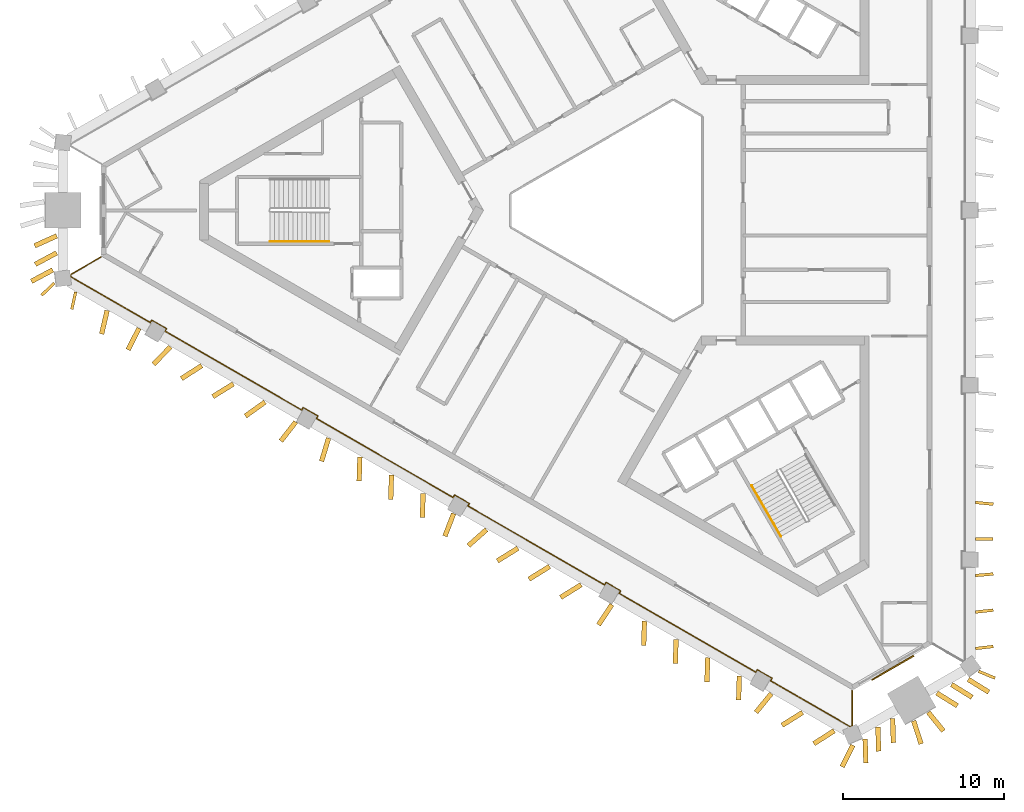
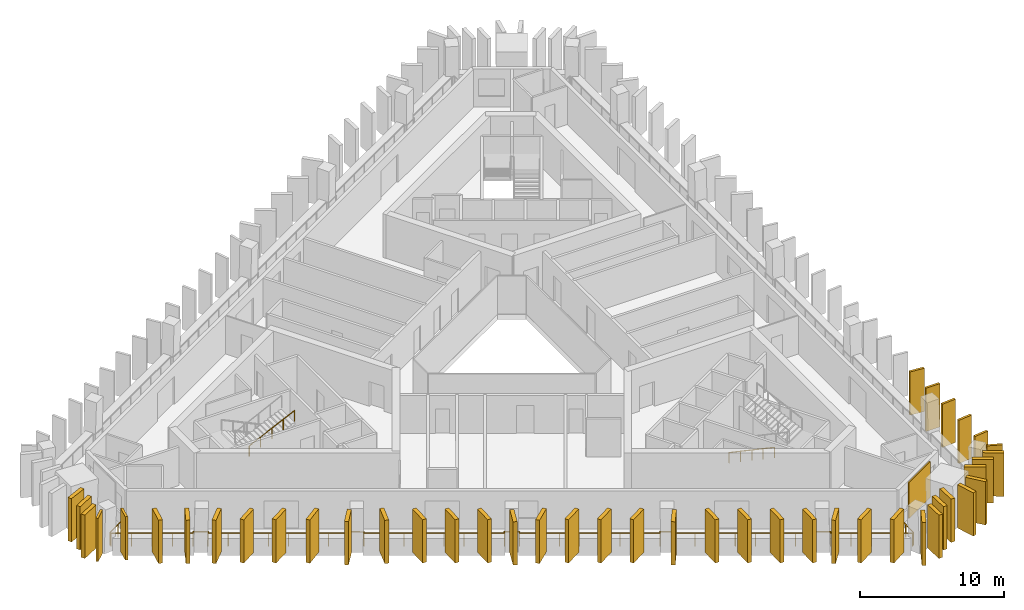
# One storey, part 7 of 9: 44 shading devices, 3 railings, 1 covering.
"""IFC4 building model written with IfcOpenShell, lengths in metres."""

from ifc_helpers import new_model, si_unit, direction, frame, frame_2d, origin, origin_2d, place, context, subcontext, project, spatial, rectangle, circle, extrude, material, layer, layer_set, type_object, element, save


model = new_model("IFC4")

# Units and contexts
model_context = context("Model", 3, precision=1e-05, world=origin(), true_north=direction((0.0, 1.0)))
body_context = subcontext(model_context, "Body", "Model", "MODEL_VIEW")
ifc_project = project(units=[si_unit("LENGTHUNIT", "METRE"), si_unit("AREAUNIT", "SQUARE_METRE"), si_unit("VOLUMEUNIT", "CUBIC_METRE"), si_unit("PLANEANGLEUNIT", "RADIAN"), si_unit("MASSUNIT", "GRAM", prefix="KILO")], contexts=[model_context])

# Site, building, storey
site_placement = place(None, origin())
site = spatial("IfcSite", under=ifc_project, at=site_placement, CompositionType="ELEMENT")
building_placement = place(site_placement, origin())
building = spatial("IfcBuilding", under=site, at=building_placement, Name="Jabali Bay Hotel Tower and Convention Centre", CompositionType="ELEMENT")
storey_placement = place(building_placement, frame((0.0, 0.0, 171.10009765625)))
storey = spatial("IfcBuildingStorey", under=building, at=storey_placement, Name="L41", CompositionType="ELEMENT", Elevation=171.10009765625)

# Railing
ifc_material_1 = material(Name="Glass", Category="glass")
railing_type_1 = type_object("IfcRailingType", Name="Loggia glass guard 1100", PredefinedType="BALUSTRADE", material=ifc_material_1)
railing_1_placement = place(storey_placement, frame((88.84912109375, 50.236572265625, 0.0)))
element("IfcRailing", 1, at=railing_1_placement, inside=storey, type_object=railing_type_1, Name="Loggia glass guard L41", PredefinedType="BALUSTRADE", context=body_context, shape_type="SweptSolid", body=[
    extrude(circle(Radius=0.02490234375, at=origin_2d()), frame((0.0, 0.0, 1.0751953125), z_axis=(0.0, -1.0, 0.0), x_axis=(0.991444861374, 0.0, 0.13052619222)), (0.0, 0.0, 1.0), 2.19287109375),
    extrude(circle(Radius=0.02490234375, at=origin_2d()), frame((0.0, -2.19287109375, 1.0751953125), z_axis=(-0.919843258059, -0.392286095349, 0.0), x_axis=(0.388930033422, -0.911973871472, 0.13052619222)), (0.0, 0.0, 1.0), 0.126220703125),
    extrude(circle(Radius=0.02490234375, at=origin_2d()), frame((-0.1162109375, -2.242431640625, 1.0751953125), z_axis=(-0.866017981888, 0.500012854881, 0.0), x_axis=(-0.495735175592, -0.858609078, 0.13052619222)), (0.0, 0.0, 1.0), 5.700439453125),
    extrude(circle(Radius=0.02490234375, at=origin_2d()), frame((-5.052978515625, 0.60791015625, 1.0751953125), z_axis=(0.500486622847, 0.865744269604, 0.0), x_axis=(-0.858337707362, 0.496204890408, 0.13052619222)), (0.0, 0.0, 1.0), 0.175048828125),
    extrude(circle(Radius=0.02490234375, at=origin_2d()), frame((-4.96533203125, 0.759521484375, 1.0751953125), z_axis=(-0.866088799389, 0.499890179513, 0.0), x_axis=(-0.495613549729, -0.858679289647, 0.13052619222)), (0.0, 0.0, 1.0), 1.050048828125),
    extrude(circle(Radius=0.02490234375, at=origin_2d()), frame((-5.874755859375, 1.284423828125, 1.0751953125), z_axis=(-0.499440622861, -0.866348119543, 0.0), x_axis=(0.858936391282, -0.495167839097, 0.13052619222)), (0.0, 0.0, 1.0), 0.175048828125),
    extrude(circle(Radius=0.02490234375, at=origin_2d()), frame((-5.962158203125, 1.1328125, 1.0751953125), z_axis=(-0.866029781282, 0.499992417876, 0.0), x_axis=(-0.495714913429, -0.858620776448, 0.13052619222)), (0.0, 0.0, 1.0), 9.785400390625),
    extrude(circle(Radius=0.02490234375, at=origin_2d()), frame((-14.4365234375, 6.025390625, 1.0751953125), z_axis=(0.499440622861, 0.866348119543, 0.0), x_axis=(-0.858936391282, 0.495167839097, 0.13052619222)), (0.0, 0.0, 1.0), 0.175048828125),
    extrude(circle(Radius=0.02490234375, at=origin_2d()), frame((-14.34912109375, 6.177001953125, 1.0751953125), z_axis=(-0.86592997719, 0.500165247297, 0.0), x_axis=(-0.495886264271, -0.858521826194, 0.13052619222)), (0.0, 0.0, 1.0), 1.050048828125),
    extrude(circle(Radius=0.02490234375, at=origin_2d()), frame((-15.25830078125, 6.7021484375, 1.0751953125), z_axis=(-0.500486622847, -0.865744269604, 0.0), x_axis=(0.858337707362, -0.496204890408, 0.13052619222)), (0.0, 0.0, 1.0), 0.175048828125),
    extrude(circle(Radius=0.02490234375, at=origin_2d()), frame((-15.345947265625, 6.550537109375, 1.0751953125), z_axis=(-0.866023543838, 0.500003221507, 0.0), x_axis=(-0.495725624634, -0.858614592367, 0.13052619222)), (0.0, 0.0, 1.0), 9.78515625),
    extrude(circle(Radius=0.02490234375, at=origin_2d()), frame((-23.820068359375, 11.443115234375, 1.0751953125), z_axis=(0.499440622861, 0.866348119543, 0.0), x_axis=(-0.858936391282, 0.495167839097, 0.13052619222)), (0.0, 0.0, 1.0), 0.175048828125),
    extrude(circle(Radius=0.02490234375, at=origin_2d()), frame((-23.732666015625, 11.5947265625, 1.0751953125), z_axis=(-0.866030680601, 0.499990860175, 0.0), x_axis=(-0.495713369054, -0.858621668074, 0.13052619222)), (0.0, 0.0, 1.0), 1.0498046875),
    extrude(circle(Radius=0.02490234375, at=origin_2d()), frame((-24.641845703125, 12.11962890625, 1.0751953125), z_axis=(-0.500486622847, -0.865744269604, 0.0), x_axis=(0.858337707362, -0.496204890408, 0.13052619222)), (0.0, 0.0, 1.0), 0.175048828125),
    extrude(circle(Radius=0.02490234375, at=origin_2d()), frame((-24.7294921875, 11.968017578125, 1.0751953125), z_axis=(-0.866018977777, 0.500011130006, 0.0), x_axis=(-0.495733465474, -0.858610065369, 0.13052619222)), (0.0, 0.0, 1.0), 9.785400390625),
    extrude(circle(Radius=0.02490234375, at=origin_2d()), frame((-33.203857421875, 16.86083984375, 1.0751953125), z_axis=(0.501091290591, 0.865394429433, 0.0), x_axis=(-0.857990860123, 0.496804385136, 0.13052619222)), (0.0, 0.0, 1.0), 0.1748046875),
    extrude(circle(Radius=0.02490234375, at=origin_2d()), frame((-33.1162109375, 17.01220703125, 1.0751953125), z_axis=(-0.865988129768, 0.500064554934, 0.0), x_axis=(-0.495786433345, -0.858579481269, 0.13052619222)), (0.0, 0.0, 1.0), 1.050048828125),
    extrude(circle(Radius=0.02490234375, at=origin_2d()), frame((-34.025634765625, 17.537353515625, 1.0751953125), z_axis=(-0.499440622861, -0.866348119543, 0.0), x_axis=(0.858936391282, -0.495167839097, 0.13052619222)), (0.0, 0.0, 1.0), 0.175048828125),
    extrude(circle(Radius=0.02490234375, at=origin_2d()), frame((-34.113037109375, 17.3857421875, 1.0751953125), z_axis=(-0.866029781282, 0.499992417876, 0.0), x_axis=(-0.495714913429, -0.858620776448, 0.13052619222)), (0.0, 0.0, 1.0), 9.785400390625),
    extrude(circle(Radius=0.02490234375, at=origin_2d()), frame((-42.58740234375, 22.2783203125, 1.0751953125), z_axis=(0.500486622847, 0.865744269604, 0.0), x_axis=(-0.858337707362, 0.496204890408, 0.13052619222)), (0.0, 0.0, 1.0), 0.175048828125),
    extrude(circle(Radius=0.02490234375, at=origin_2d()), frame((-42.499755859375, 22.429931640625, 1.0751953125), z_axis=(-0.865988129768, 0.500064554934, 0.0), x_axis=(-0.495786433345, -0.858579481269, 0.13052619222)), (0.0, 0.0, 1.0), 1.050048828125),
    extrude(circle(Radius=0.02490234375, at=origin_2d()), frame((-43.4091796875, 22.955078125, 1.0751953125), z_axis=(-0.499440622861, -0.866348119543, 0.0), x_axis=(0.858936391282, -0.495167839097, 0.13052619222)), (0.0, 0.0, 1.0), 0.175048828125),
    extrude(circle(Radius=0.02490234375, at=origin_2d()), frame((-43.49658203125, 22.803466796875, 1.0751953125), z_axis=(-0.866036526926, 0.49998073366, 0.0), x_axis=(-0.495703329173, -0.858627464382, 0.13052619222)), (0.0, 0.0, 1.0), 5.700439453125),
    extrude(circle(Radius=0.02490234375, at=origin_2d()), frame((-48.433349609375, 25.653564453125, 1.0751953125), z_axis=(-0.119754511869, 0.992803533881, 0.0), x_axis=(-0.98430996202, -0.118729995419, 0.13052619222)), (0.0, 0.0, 1.0), 0.12646484375),
    extrude(circle(Radius=0.02490234375, at=origin_2d()), frame((-48.448486328125, 25.779052734375, 1.0751953125), z_axis=(0.866055796367, 0.499947354807, 0.0), x_axis=(-0.495670235881, 0.858646568971, 0.13052619222)), (0.0, 0.0, 1.0), 2.192626953125),
    extrude(circle(Radius=0.02001953125, at=origin_2d()), origin(), (0.0, 0.0, 1.0), 1.050048828125),
    extrude(circle(Radius=0.02001953125, at=origin_2d()), frame((0.0, -1.096435546875, 0.0)), (0.0, 0.0, 1.0), 1.050048828125),
    extrude(circle(Radius=0.02001953125, at=origin_2d()), frame((0.0, -2.19287109375, 0.0)), (0.0, 0.0, 1.0), 1.050048828125),
    extrude(circle(Radius=0.02001953125, at=origin_2d()), frame((-0.1162109375, -2.242431640625, 0.0)), (0.0, 0.0, 1.0), 1.050048828125),
    extrude(circle(Radius=0.02001953125, at=origin_2d()), frame((-1.350341796875, -1.52978515625, 0.0)), (0.0, 0.0, 1.0), 1.050048828125),
    extrude(circle(Radius=0.02001953125, at=origin_2d()), frame((-2.58447265625, -0.8173828125, 0.0)), (0.0, 0.0, 1.0), 1.050048828125),
    extrude(circle(Radius=0.02001953125, at=origin_2d()), frame((-3.81884765625, -0.104736328125, 0.0)), (0.0, 0.0, 1.0), 1.050048828125),
    extrude(circle(Radius=0.02001953125, at=origin_2d()), frame((-5.052978515625, 0.60791015625, 0.0)), (0.0, 0.0, 1.0), 1.050048828125),
    extrude(circle(Radius=0.02001953125, at=origin_2d()), frame((-4.96533203125, 0.759521484375, 0.0)), (0.0, 0.0, 1.0), 1.050048828125),
    extrude(circle(Radius=0.02001953125, at=origin_2d()), frame((-5.874755859375, 1.284423828125, 0.0)), (0.0, 0.0, 1.0), 1.050048828125),
    extrude(circle(Radius=0.02001953125, at=origin_2d()), frame((-5.962158203125, 1.1328125, 0.0)), (0.0, 0.0, 1.0), 1.050048828125),
    extrude(circle(Radius=0.02001953125, at=origin_2d()), frame((-7.1728515625, 1.831787109375, 0.0)), (0.0, 0.0, 1.0), 1.050048828125),
    extrude(circle(Radius=0.02001953125, at=origin_2d()), frame((-8.38330078125, 2.53076171875, 0.0)), (0.0, 0.0, 1.0), 1.050048828125),
    extrude(circle(Radius=0.02001953125, at=origin_2d()), frame((-9.593994140625, 3.229736328125, 0.0)), (0.0, 0.0, 1.0), 1.050048828125),
    extrude(circle(Radius=0.02001953125, at=origin_2d()), frame((-10.8046875, 3.928466796875, 0.0)), (0.0, 0.0, 1.0), 1.050048828125),
    extrude(circle(Radius=0.02001953125, at=origin_2d()), frame((-12.015380859375, 4.62744140625, 0.0)), (0.0, 0.0, 1.0), 1.050048828125),
    extrude(circle(Radius=0.02001953125, at=origin_2d()), frame((-13.225830078125, 5.326416015625, 0.0)), (0.0, 0.0, 1.0), 1.050048828125),
    extrude(circle(Radius=0.02001953125, at=origin_2d()), frame((-14.4365234375, 6.025390625, 0.0)), (0.0, 0.0, 1.0), 1.050048828125),
    extrude(circle(Radius=0.02001953125, at=origin_2d()), frame((-14.34912109375, 6.177001953125, 0.0)), (0.0, 0.0, 1.0), 1.050048828125),
    extrude(circle(Radius=0.02001953125, at=origin_2d()), frame((-15.25830078125, 6.7021484375, 0.0)), (0.0, 0.0, 1.0), 1.050048828125),
    extrude(circle(Radius=0.02001953125, at=origin_2d()), frame((-15.345947265625, 6.550537109375, 0.0)), (0.0, 0.0, 1.0), 1.050048828125),
    extrude(circle(Radius=0.02001953125, at=origin_2d()), frame((-16.556640625, 7.24951171875, 0.0)), (0.0, 0.0, 1.0), 1.050048828125),
    extrude(circle(Radius=0.02001953125, at=origin_2d()), frame((-17.76708984375, 7.948486328125, 0.0)), (0.0, 0.0, 1.0), 1.050048828125),
    extrude(circle(Radius=0.02001953125, at=origin_2d()), frame((-18.977783203125, 8.6474609375, 0.0)), (0.0, 0.0, 1.0), 1.050048828125),
    extrude(circle(Radius=0.02001953125, at=origin_2d()), frame((-20.188232421875, 9.34619140625, 0.0)), (0.0, 0.0, 1.0), 1.050048828125),
    extrude(circle(Radius=0.02001953125, at=origin_2d()), frame((-21.39892578125, 10.045166015625, 0.0)), (0.0, 0.0, 1.0), 1.050048828125),
    extrude(circle(Radius=0.02001953125, at=origin_2d()), frame((-22.609375, 10.744140625, 0.0)), (0.0, 0.0, 1.0), 1.050048828125),
    extrude(circle(Radius=0.02001953125, at=origin_2d()), frame((-23.820068359375, 11.443115234375, 0.0)), (0.0, 0.0, 1.0), 1.050048828125),
    extrude(circle(Radius=0.02001953125, at=origin_2d()), frame((-23.732666015625, 11.5947265625, 0.0)), (0.0, 0.0, 1.0), 1.050048828125),
    extrude(circle(Radius=0.02001953125, at=origin_2d()), frame((-24.641845703125, 12.11962890625, 0.0)), (0.0, 0.0, 1.0), 1.050048828125),
    extrude(circle(Radius=0.02001953125, at=origin_2d()), frame((-24.7294921875, 11.968017578125, 0.0)), (0.0, 0.0, 1.0), 1.050048828125),
    extrude(circle(Radius=0.02001953125, at=origin_2d()), frame((-25.940185546875, 12.6669921875, 0.0)), (0.0, 0.0, 1.0), 1.050048828125),
    extrude(circle(Radius=0.02001953125, at=origin_2d()), frame((-27.150634765625, 13.365966796875, 0.0)), (0.0, 0.0, 1.0), 1.050048828125),
    extrude(circle(Radius=0.02001953125, at=origin_2d()), frame((-28.361328125, 14.06494140625, 0.0)), (0.0, 0.0, 1.0), 1.050048828125),
    extrude(circle(Radius=0.02001953125, at=origin_2d()), frame((-29.572021484375, 14.763916015625, 0.0)), (0.0, 0.0, 1.0), 1.050048828125),
    extrude(circle(Radius=0.02001953125, at=origin_2d()), frame((-30.78271484375, 15.462890625, 0.0)), (0.0, 0.0, 1.0), 1.050048828125),
    extrude(circle(Radius=0.02001953125, at=origin_2d()), frame((-31.9931640625, 16.161865234375, 0.0)), (0.0, 0.0, 1.0), 1.050048828125),
    extrude(circle(Radius=0.02001953125, at=origin_2d()), frame((-33.203857421875, 16.86083984375, 0.0)), (0.0, 0.0, 1.0), 1.050048828125),
    extrude(circle(Radius=0.02001953125, at=origin_2d()), frame((-33.1162109375, 17.01220703125, 0.0)), (0.0, 0.0, 1.0), 1.050048828125),
    extrude(circle(Radius=0.02001953125, at=origin_2d()), frame((-34.025634765625, 17.537353515625, 0.0)), (0.0, 0.0, 1.0), 1.050048828125),
    extrude(circle(Radius=0.02001953125, at=origin_2d()), frame((-34.113037109375, 17.3857421875, 0.0)), (0.0, 0.0, 1.0), 1.050048828125),
    extrude(circle(Radius=0.02001953125, at=origin_2d()), frame((-35.32373046875, 18.084716796875, 0.0)), (0.0, 0.0, 1.0), 1.050048828125),
    extrude(circle(Radius=0.02001953125, at=origin_2d()), frame((-36.5341796875, 18.78369140625, 0.0)), (0.0, 0.0, 1.0), 1.050048828125),
    extrude(circle(Radius=0.02001953125, at=origin_2d()), frame((-37.744873046875, 19.482666015625, 0.0)), (0.0, 0.0, 1.0), 1.050048828125),
    extrude(circle(Radius=0.02001953125, at=origin_2d()), frame((-38.95556640625, 20.181396484375, 0.0)), (0.0, 0.0, 1.0), 1.050048828125),
    extrude(circle(Radius=0.02001953125, at=origin_2d()), frame((-40.166259765625, 20.88037109375, 0.0)), (0.0, 0.0, 1.0), 1.050048828125),
    extrude(circle(Radius=0.02001953125, at=origin_2d()), frame((-41.376708984375, 21.579345703125, 0.0)), (0.0, 0.0, 1.0), 1.050048828125),
    extrude(circle(Radius=0.02001953125, at=origin_2d()), frame((-42.58740234375, 22.2783203125, 0.0)), (0.0, 0.0, 1.0), 1.050048828125),
    extrude(circle(Radius=0.02001953125, at=origin_2d()), frame((-42.499755859375, 22.429931640625, 0.0)), (0.0, 0.0, 1.0), 1.050048828125),
    extrude(circle(Radius=0.02001953125, at=origin_2d()), frame((-43.4091796875, 22.955078125, 0.0)), (0.0, 0.0, 1.0), 1.050048828125),
    extrude(circle(Radius=0.02001953125, at=origin_2d()), frame((-43.49658203125, 22.803466796875, 0.0)), (0.0, 0.0, 1.0), 1.050048828125),
    extrude(circle(Radius=0.02001953125, at=origin_2d()), frame((-44.730712890625, 23.51611328125, 0.0)), (0.0, 0.0, 1.0), 1.050048828125),
    extrude(circle(Radius=0.02001953125, at=origin_2d()), frame((-45.96484375, 24.228515625, 0.0)), (0.0, 0.0, 1.0), 1.050048828125),
    extrude(circle(Radius=0.02001953125, at=origin_2d()), frame((-47.19921875, 24.94091796875, 0.0)), (0.0, 0.0, 1.0), 1.050048828125),
    extrude(circle(Radius=0.02001953125, at=origin_2d()), frame((-48.433349609375, 25.653564453125, 0.0)), (0.0, 0.0, 1.0), 1.050048828125),
    extrude(circle(Radius=0.02001953125, at=origin_2d()), frame((-48.448486328125, 25.779052734375, 0.0)), (0.0, 0.0, 1.0), 1.050048828125),
    extrude(circle(Radius=0.02001953125, at=origin_2d()), frame((-47.4990234375, 26.3271484375, 0.0)), (0.0, 0.0, 1.0), 1.050048828125),
    extrude(circle(Radius=0.02001953125, at=origin_2d()), frame((-46.549560546875, 26.875244140625, 0.0)), (0.0, 0.0, 1.0), 1.050048828125),
])

# Shading devices
ifc_material_2 = material(Name="Precast concrete C60", Category="concrete")
ifc_layer_1 = layer(ifc_material_2, 0.179931640625)
ifc_layer_set_1 = layer_set([ifc_layer_1], Name="Precast concrete C60")
shading_device_type_1 = type_object("IfcShadingDeviceType", Name="Precast fin 3680 x 1100", PredefinedType="USERDEFINED", material=ifc_layer_set_1)
shading_device_1_placement = place(storey_placement, frame((96.50439453125, 52.841796875, 0.010009765625), z_axis=(0.0, 0.0, 1.0), x_axis=(0.993030393749, 0.117858546956, 0.0)))
element("IfcShadingDevice", 2, at=shading_device_1_placement, inside=storey, type_object=shading_device_type_1, Name="Fin L41 000", ObjectType="FIN", PredefinedType="USERDEFINED", context=body_context, shape_type="SweptSolid", body=[
    extrude(rectangle(XDim=1.099853515625, YDim=0.179931640625, at=frame_2d((0.5498046875, 0.0))), origin(), (0.0, 0.0, 1.0), 3.679931640625),
])
for number, where, z_axis, x_axis, name in (
    (3, (96.503173828125, 55.10498046875, 0.010009765625), (0.0, 0.0, 1.0), (0.994428578237, 0.105412536189, 0.0), "Fin L41 001"),
    (4, (96.50146484375, 57.3681640625, 0.010009765625), (0.0, 0.0, 1.0), (0.996304441521, 0.085892140537, 0.0), "Fin L41 002"),
    (5, (96.493896484375, 59.63134765625, 0.010009765625), (0.0, 0.0, 1.0), (0.999996453926, -0.002663106402, 0.0), "Fin L41 003"),
    (6, (96.50244140625, 61.89453125, 0.010009765625), (0.0, 0.0, 1.0), (0.995308052285, -0.096756814001, 0.0), "Fin L41 004"),
):
    element("IfcShadingDevice", number, at=place(storey_placement, frame(where, z_axis=z_axis, x_axis=x_axis)), inside=storey, type_object=shading_device_type_1, Name=name, ObjectType="FIN", PredefinedType="USERDEFINED", context=body_context, shape_type="SweptSolid", body=[
        extrude(rectangle(XDim=1.10009765625, YDim=0.179931640625, at=frame_2d((0.550048828125, 0.0))), origin(), (0.0, 0.0, 1.0), 3.679931640625),
    ])
shading_device_2_placement = place(storey_placement, frame((40.719970703125, 74.94140625, 0.010009765625), z_axis=(0.0, 0.0, 1.0), x_axis=(-0.215755163581, -0.976447494435, 0.0)))
element("IfcShadingDevice", 7, at=shading_device_2_placement, inside=storey, type_object=shading_device_type_1, Name="Fin L41 066", ObjectType="FIN", PredefinedType="USERDEFINED", context=body_context, shape_type="SweptSolid", body=[
    extrude(rectangle(XDim=1.099853515625, YDim=0.179931640625, at=frame_2d((0.5498046875, 0.0))), origin(), (0.0, 0.0, 1.0), 3.679931640625),
])
shading_device_3_placement = place(storey_placement, frame((96.691650390625, 51.427001953125, 0.010009765625), z_axis=(0.0, 0.0, 1.0), x_axis=(0.9243652374, -0.381508725832, 0.0)))
element("IfcShadingDevice", 8, at=shading_device_3_placement, inside=storey, type_object=shading_device_type_1, Name="Fin L41 099", ObjectType="FIN", PredefinedType="USERDEFINED", context=body_context, shape_type="SweptSolid", body=[
    extrude(rectangle(XDim=1.10009765625, YDim=0.179931640625, at=frame_2d((0.550048828125, 0.0))), origin(), (0.0, 0.0, 1.0), 3.679931640625),
])
shading_device_4_placement = place(storey_placement, frame((39.401611328125, 75.496337890625, 0.010009765625), z_axis=(0.0, 0.0, 1.0), x_axis=(-0.721604629004, -0.692305394606, 0.0)))
element("IfcShadingDevice", 9, at=shading_device_4_placement, inside=storey, type_object=shading_device_type_1, Name="Fin L41 103", ObjectType="FIN", PredefinedType="USERDEFINED", context=body_context, shape_type="SweptSolid", body=[
    extrude(rectangle(XDim=1.099853515625, YDim=0.179931640625, at=frame_2d((0.5498046875, 0.0))), origin(), (0.0, 0.0, 1.0), 3.679931640625),
])
ifc_layer_2 = layer(ifc_material_2, 0.300048828125)
ifc_layer_set_2 = layer_set([ifc_layer_2], Name="Precast concrete C60")
shading_device_type_2 = type_object("IfcShadingDeviceType", Name="Precast fin 3680 x 1500", PredefinedType="USERDEFINED", material=ifc_layer_set_2)
shading_device_5_placement = place(storey_placement, frame((39.551513671875, 78.4189453125, 0.010009765625), z_axis=(0.0, 0.0, 1.0), x_axis=(-0.912301801805, -0.409518525128, 0.0)))
element("IfcShadingDevice", 10, at=shading_device_5_placement, inside=storey, type_object=shading_device_type_2, Name="Fin L41 063", ObjectType="FIN", PredefinedType="USERDEFINED", context=body_context, shape_type="SweptSolid", body=[
    extrude(rectangle(XDim=1.5, YDim=0.300048828125, at=frame_2d((0.75, 0.0))), origin(), (0.0, 0.0, 1.0), 3.679931640625),
])
shading_device_6_placement = place(storey_placement, frame((39.5419921875, 77.364990234375, 0.010009765625), z_axis=(0.0, 0.0, 1.0), x_axis=(-0.881097417694, -0.472934816368, 0.0)))
element("IfcShadingDevice", 11, at=shading_device_6_placement, inside=storey, type_object=shading_device_type_2, Name="Fin L41 064", ObjectType="FIN", PredefinedType="USERDEFINED", context=body_context, shape_type="SweptSolid", body=[
    extrude(rectangle(XDim=1.500244140625, YDim=0.300048828125, at=frame_2d((0.75, 0.0))), origin(), (0.0, 0.0, 1.0), 3.679931640625),
])
shading_device_7_placement = place(storey_placement, frame((39.30322265625, 76.31103515625, 0.010009765625), z_axis=(0.0, 0.0, 1.0), x_axis=(-0.881061009287, -0.473002640493, 0.0)))
element("IfcShadingDevice", 12, at=shading_device_7_placement, inside=storey, type_object=shading_device_type_2, Name="Fin L41 065", ObjectType="FIN", PredefinedType="USERDEFINED", context=body_context, shape_type="SweptSolid", body=[
    extrude(rectangle(XDim=1.5, YDim=0.300048828125, at=frame_2d((0.75, 0.0))), origin(), (0.0, 0.0, 1.0), 3.679931640625),
])
shading_device_8_placement = place(storey_placement, frame((42.671630859375, 73.795654296875, 0.010009765625), z_axis=(0.0, 0.0, 1.0), x_axis=(-0.226035956263, -0.974118959099, 0.0)))
element("IfcShadingDevice", 13, at=shading_device_8_placement, inside=storey, type_object=shading_device_type_2, Name="Fin L41 067", ObjectType="FIN", PredefinedType="USERDEFINED", context=body_context, shape_type="SweptSolid", body=[
    extrude(rectangle(XDim=1.500244140625, YDim=0.300048828125, at=frame_2d((0.75, 0.0))), origin(), (0.0, 0.0, 1.0), 3.679931640625),
])
shading_device_9_placement = place(storey_placement, frame((44.6494140625, 72.69482421875, 0.010009765625), z_axis=(0.0, 0.0, 1.0), x_axis=(-0.452933221819, -0.89154444453, 0.0)))
element("IfcShadingDevice", 14, at=shading_device_9_placement, inside=storey, type_object=shading_device_type_2, Name="Fin L41 068", ObjectType="FIN", PredefinedType="USERDEFINED", context=body_context, shape_type="SweptSolid", body=[
    extrude(rectangle(XDim=1.5, YDim=0.300048828125, at=frame_2d((0.75, 0.0))), origin(), (0.0, 0.0, 1.0), 3.679931640625),
])
shading_device_10_placement = place(storey_placement, frame((46.5947265625, 71.5380859375, 0.010009765625), z_axis=(0.0, 0.0, 1.0), x_axis=(-0.698179411333, -0.715922837735, 0.0)))
element("IfcShadingDevice", 15, at=shading_device_10_placement, inside=storey, type_object=shading_device_type_2, Name="Fin L41 069", ObjectType="FIN", PredefinedType="USERDEFINED", context=body_context, shape_type="SweptSolid", body=[
    extrude(rectangle(XDim=1.499755859375, YDim=0.300048828125, at=frame_2d((0.75, 0.0))), origin(), (0.0, 0.0, 1.0), 3.679931640625),
])
shading_device_11_placement = place(storey_placement, frame((48.538818359375, 70.37890625, 0.010009765625), z_axis=(0.0, 0.0, 1.0), x_axis=(-0.842271400662, -0.539053696423, 0.0)))
element("IfcShadingDevice", 16, at=shading_device_11_placement, inside=storey, type_object=shading_device_type_2, Name="Fin L41 070", ObjectType="FIN", PredefinedType="USERDEFINED", context=body_context, shape_type="SweptSolid", body=[
    extrude(rectangle(XDim=1.5, YDim=0.300048828125, at=frame_2d((0.75, 0.0))), origin(), (0.0, 0.0, 1.0), 3.679931640625),
])
shading_device_12_placement = place(storey_placement, frame((50.497802734375, 69.24560546875, 0.010009765625), z_axis=(0.0, 0.0, 1.0), x_axis=(-0.850022224732, -0.526746824824, 0.0)))
element("IfcShadingDevice", 17, at=shading_device_12_placement, inside=storey, type_object=shading_device_type_2, Name="Fin L41 071", ObjectType="FIN", PredefinedType="USERDEFINED", context=body_context, shape_type="SweptSolid", body=[
    extrude(rectangle(XDim=1.499755859375, YDim=0.300048828125, at=frame_2d((0.75, 0.0))), origin(), (0.0, 0.0, 1.0), 3.679931640625),
])
for number, where, z_axis, x_axis, name in (
    (18, (52.46240234375, 68.121826171875, 0.010009765625), (0.0, 0.0, 1.0), (-0.812951961812, -0.582330754628, 0.0), "Fin L41 072"),
    (19, (54.362548828125, 66.886474609375, 0.010009765625), (0.0, 0.0, 1.0), (-0.612914773468, -0.790149024213, 0.0), "Fin L41 073"),
    (20, (56.39599609375, 65.882568359375, 0.010009765625), (0.0, 0.0, 1.0), (-0.288751268406, -0.957404149246, 0.0), "Fin L41 074"),
    (21, (58.337646484375, 64.71923828125, 0.010009765625), (0.0, 0.0, 1.0), (-0.030924788426, -0.999521714352, 0.0), "Fin L41 075"),
    (22, (60.297607421875, 63.587646484375, 0.010009765625), (0.0, 0.0, 1.0), (-0.030762180813, -0.999526732125, 0.0), "Fin L41 076"),
    (23, (62.257568359375, 62.4560546875, 0.010009765625), (0.0, 0.0, 1.0), (-0.030762180813, -0.999526732125, 0.0), "Fin L41 077"),
    (24, (64.150390625, 61.207763671875, 0.010009765625), (0.0, 0.0, 1.0), (-0.36036387277, -0.932811813391, 0.0), "Fin L41 078"),
):
    element("IfcShadingDevice", number, at=place(storey_placement, frame(where, z_axis=z_axis, x_axis=x_axis)), inside=storey, type_object=shading_device_type_2, Name=name, ObjectType="FIN", PredefinedType="USERDEFINED", context=body_context, shape_type="SweptSolid", body=[
        extrude(rectangle(XDim=1.5, YDim=0.300048828125, at=frame_2d((0.75, 0.0))), origin(), (0.0, 0.0, 1.0), 3.679931640625),
    ])
for number, where, z_axis, x_axis, name in (
    (25, (66.189453125, 60.213134765625, 0.010009765625), (0.0, 0.0, 1.0), (-0.74830654555, -0.663353083876, 0.0), "Fin L41 079"),
    (26, (68.1376953125, 59.061279296875, 0.010009765625), (0.0, 0.0, 1.0), (-0.850185364679, -0.526483471427, 0.0), "Fin L41 080"),
    (27, (70.09765625, 57.9296875, 0.010009765625), (0.0, 0.0, 1.0), (-0.850185364679, -0.526483471427, 0.0), "Fin L41 081"),
    (28, (72.0576171875, 56.798095703125, 0.010009765625), (0.0, 0.0, 1.0), (-0.850185364679, -0.526483471427, 0.0), "Fin L41 082"),
):
    element("IfcShadingDevice", number, at=place(storey_placement, frame(where, z_axis=z_axis, x_axis=x_axis)), inside=storey, type_object=shading_device_type_2, Name=name, ObjectType="FIN", PredefinedType="USERDEFINED", context=body_context, shape_type="SweptSolid", body=[
        extrude(rectangle(XDim=1.500244140625, YDim=0.300048828125, at=frame_2d((0.75, 0.0))), origin(), (0.0, 0.0, 1.0), 3.679931640625),
    ])
for number, where, z_axis, x_axis, name in (
    (29, (73.957275390625, 55.562255859375, 0.010009765625), (0.0, 0.0, 1.0), (-0.55048614265, -0.834844300903, 0.0), "Fin L41 083"),
    (30, (75.9775390625, 54.534912109375, 0.010009765625), (0.0, 0.0, 1.0), (-0.030924788426, -0.999521714352, 0.0), "Fin L41 084"),
    (31, (77.9375, 53.4033203125, 0.010009765625), (0.0, 0.0, 1.0), (-0.030924788426, -0.999521714352, 0.0), "Fin L41 085"),
    (32, (79.8974609375, 52.271728515625, 0.010009765625), (0.0, 0.0, 1.0), (-0.030924788426, -0.999521714352, 0.0), "Fin L41 086"),
    (33, (81.857421875, 51.14013671875, 0.010009765625), (0.0, 0.0, 1.0), (-0.031087393585, -0.999516670176, 0.0), "Fin L41 087"),
    (34, (83.8408203125, 50.04931640625, 0.010009765625), (0.0, 0.0, 1.0), (-0.631499041041, -0.775376657608, 0.0), "Fin L41 088"),
    (35, (85.777587890625, 48.877197265625, 0.010009765625), (0.0, 0.0, 1.0), (-0.848519123152, -0.529164716932, 0.0), "Fin L41 089"),
    (36, (87.73828125, 47.746826171875, 0.010009765625), (0.0, 0.0, 1.0), (-0.843218898519, -0.537570357423, 0.0), "Fin L41 090"),
    (37, (89.653564453125, 47.2412109375, 0.010009765625), (0.0, 0.0, 1.0), (0.030924788426, -0.999521714352, 0.0), "Fin L41 091"),
    (38, (90.447021484375, 47.974853515625, 0.010009765625), (0.0, 0.0, 1.0), (0.030924788426, -0.999521714352, 0.0), "Fin L41 092"),
    (39, (91.35986328125, 48.501953125, 0.010009765625), (0.0, 0.0, 1.0), (0.030924788426, -0.999521714352, 0.0), "Fin L41 093"),
    (40, (92.65869140625, 48.360107421875, 0.010009765625), (0.0, 0.0, 1.0), (0.311830108039, -0.950137876164, 0.0), "Fin L41 094"),
):
    element("IfcShadingDevice", number, at=place(storey_placement, frame(where, z_axis=z_axis, x_axis=x_axis)), inside=storey, type_object=shading_device_type_2, Name=name, ObjectType="FIN", PredefinedType="USERDEFINED", context=body_context, shape_type="SweptSolid", body=[
        extrude(rectangle(XDim=1.5, YDim=0.300048828125, at=frame_2d((0.75, 0.0))), origin(), (0.0, 0.0, 1.0), 3.679931640625),
    ])
for number, where, z_axis, x_axis, name in (
    (41, (93.56787109375, 48.8935546875, 0.010009765625), (0.0, 0.0, 1.0), (0.628814271861, -0.777555535961, 0.0), "Fin L41 095"),
    (42, (94.09814453125, 50.0830078125, 0.010009765625), (0.0, 0.0, 1.0), (0.850185364679, -0.526483471427, 0.0), "Fin L41 096"),
    (43, (95.010986328125, 50.60986328125, 0.010009765625), (0.0, 0.0, 1.0), (0.850185364679, -0.526483471427, 0.0), "Fin L41 097"),
):
    element("IfcShadingDevice", number, at=place(storey_placement, frame(where, z_axis=z_axis, x_axis=x_axis)), inside=storey, type_object=shading_device_type_2, Name=name, ObjectType="FIN", PredefinedType="USERDEFINED", context=body_context, shape_type="SweptSolid", body=[
        extrude(rectangle(XDim=1.500244140625, YDim=0.300048828125, at=frame_2d((0.75, 0.0))), origin(), (0.0, 0.0, 1.0), 3.679931640625),
    ])
for number, where, z_axis, x_axis, name in (
    (44, (96.043212890625, 50.93017578125, 0.010009765625), (0.0, 0.0, 1.0), (0.850140244576, -0.526556326097, 0.0), "Fin L41 098"),
    (45, (88.89892578125, 46.853271484375, 0.010009765625), (0.0, 0.0, 1.0), (-0.449880940883, -0.893088539301, 0.0), "Fin L41 104"),
):
    element("IfcShadingDevice", number, at=place(storey_placement, frame(where, z_axis=z_axis, x_axis=x_axis)), inside=storey, type_object=shading_device_type_2, Name=name, ObjectType="FIN", PredefinedType="USERDEFINED", context=body_context, shape_type="SweptSolid", body=[
        extrude(rectangle(XDim=1.5, YDim=0.300048828125, at=frame_2d((0.75, 0.0))), origin(), (0.0, 0.0, 1.0), 3.679931640625),
    ])

# Covering
ifc_material_3 = material(Name="Precast concrete C40/50", Category="concrete")
ifc_layer_3 = layer(ifc_material_3, 0.080078125)
ifc_layer_set_3 = layer_set([ifc_layer_3], Name="Precast concrete C40/50")
covering_type = type_object("IfcCoveringType", Name="Relief panel 3000 x 3050", PredefinedType="CLADDING", material=ifc_layer_set_3)
covering_placement = place(storey_placement, frame((91.3701171875, 51.64599609375, 0.10009765625), z_axis=(0.0, 0.0, 1.0), x_axis=(-0.866025439145, -0.499999938754, 0.0)))
element("IfcCovering", 46, at=covering_placement, inside=storey, type_object=covering_type, Name="Relief panel L41", PredefinedType="CLADDING", context=body_context, shape_type="SweptSolid", body=[
    extrude(rectangle(XDim=3.0, YDim=0.080078125, at=origin_2d()), origin(), (0.0, 0.0, 1.0), 3.050048828125),
])

# Railings
ifc_material_4 = material(Name="Steel Q355B", Category="steel")
railing_type_2 = type_object("IfcRailingType", Name="Stair handrail 900", PredefinedType="HANDRAIL", material=ifc_material_4)
railing_2_placement = place(storey_placement, frame((52.780029296875, 78.074951171875, 1.98193359375)))
element("IfcRailing", 47, at=railing_2_placement, inside=storey, type_object=railing_type_2, Name="L41 ST1 stair handrail 2", PredefinedType="HANDRAIL", context=body_context, shape_type="SweptSolid", body=[
    extrude(circle(Radius=0.02392578125, at=origin_2d()), frame((0.0, 0.0, 0.8759765625), z_axis=(0.904327350853, 0.0, 0.426839598092), x_axis=(0.0, 1.0, 0.0)), (0.0, 0.0, 1.0), 4.02490234375),
    extrude(circle(Radius=0.02099609375, at=origin_2d()), origin(), (0.0, 0.0, 1.0), 0.851806640625),
    extrude(circle(Radius=0.02099609375, at=origin_2d()), frame((0.909912109375, 0.0, 0.429443359375)), (0.0, 0.0, 1.0), 0.851806640625),
    extrude(circle(Radius=0.02099609375, at=origin_2d()), frame((1.81982421875, 0.0, 0.85888671875)), (0.0, 0.0, 1.0), 0.851806640625),
    extrude(circle(Radius=0.02099609375, at=origin_2d()), frame((2.72998046875, 0.0, 1.28857421875)), (0.0, 0.0, 1.0), 0.851806640625),
    extrude(circle(Radius=0.02099609375, at=origin_2d()), frame((3.639892578125, 0.0, 1.718017578125)), (0.0, 0.0, 1.0), 0.851806640625),
])
railing_3_placement = place(storey_placement, frame((82.622802734375, 62.94677734375, 0.132080078125)))
element("IfcRailing", 48, at=railing_3_placement, inside=storey, type_object=railing_type_2, Name="L41 ST3 stair handrail 1", PredefinedType="HANDRAIL", context=body_context, shape_type="SweptSolid", body=[
    extrude(circle(Radius=0.02392578125, at=origin_2d()), frame((0.0, 0.0, 0.8759765625), z_axis=(0.452190331055, -0.783190014029, 0.426775475427), x_axis=(0.866018046521, 0.500012742938, 0.0)), (0.0, 0.0, 1.0), 4.02490234375),
    extrude(circle(Radius=0.02099609375, at=origin_2d()), origin(), (0.0, 0.0, 1.0), 0.851806640625),
    extrude(circle(Radius=0.02099609375, at=origin_2d()), frame((0.455078125, -0.7880859375, 0.429443359375)), (0.0, 0.0, 1.0), 0.851806640625),
    extrude(circle(Radius=0.02099609375, at=origin_2d()), frame((0.91015625, -1.576171875, 0.85888671875)), (0.0, 0.0, 1.0), 0.851806640625),
    extrude(circle(Radius=0.02099609375, at=origin_2d()), frame((1.364990234375, -2.3642578125, 1.288330078125)), (0.0, 0.0, 1.0), 0.851806640625),
    extrude(circle(Radius=0.02099609375, at=origin_2d()), frame((1.820068359375, -3.15234375, 1.7177734375)), (0.0, 0.0, 1.0), 0.851806640625),
])

save(model, "model.ifc")
